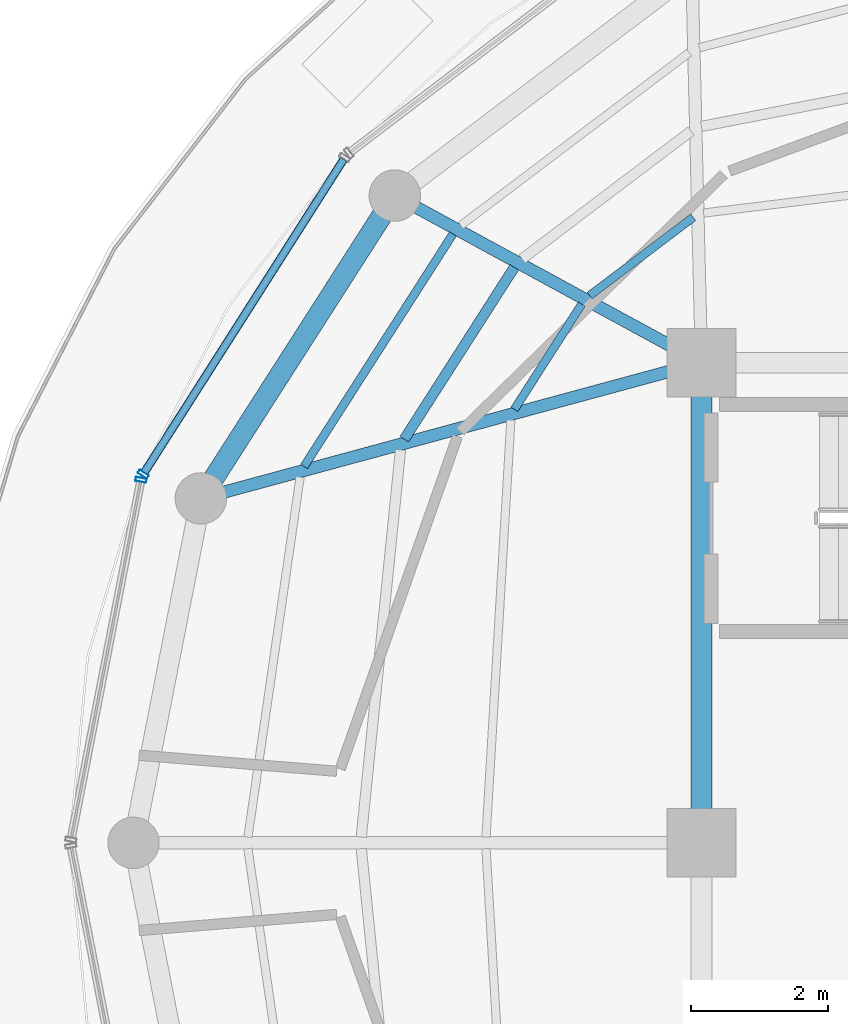
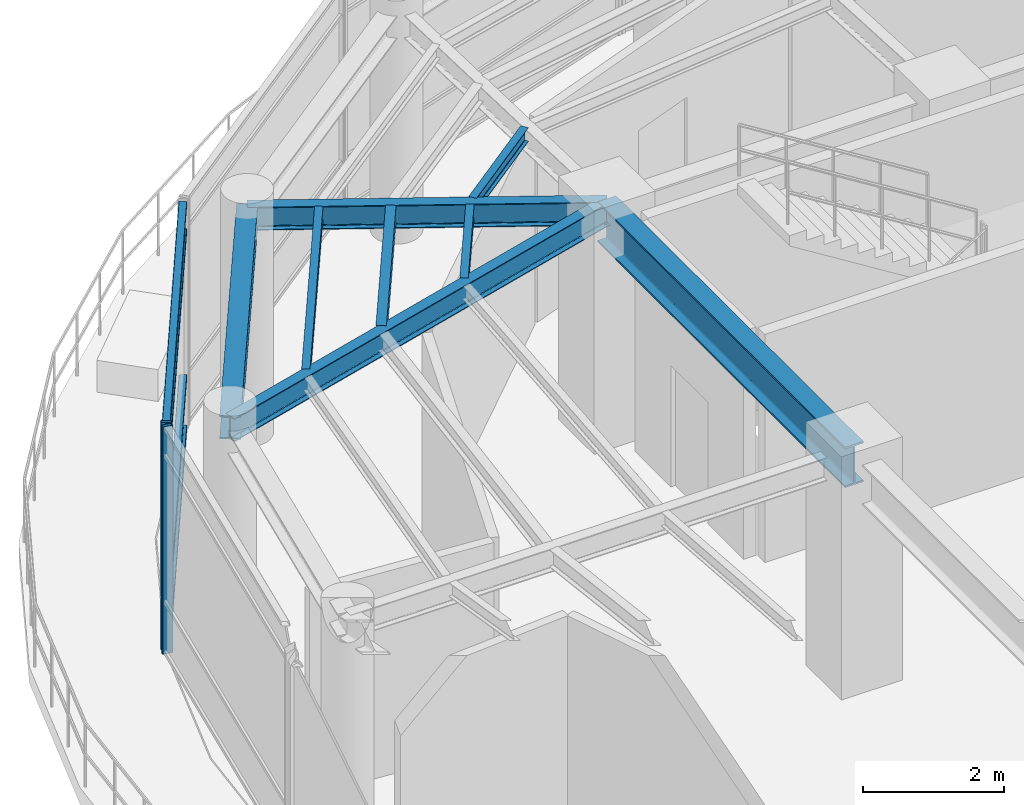
# One storey, part 9 of 20: 8 beams, 6 members, 2 elements without a shape of their own.
"""IFC4 building model written with IfcOpenShell, lengths in metres."""

from ifc_helpers import new_model, si_unit, direction, frame, origin, origin_2d, place, context, subcontext, project, spatial, hollow_rectangle, i_section, extrude, material, layer, layer_set, material_profile, profile_set, type_object, element, aggregate, save


model = new_model("IFC4")

# Units and contexts
model_context = context("Model", 3, precision=1e-05, world=origin(), true_north=direction((0.0, 1.0)))
body_context = subcontext(model_context, "Body", "Model", "MODEL_VIEW")
ifc_project = project(units=[si_unit("LENGTHUNIT", "METRE"), si_unit("AREAUNIT", "SQUARE_METRE"), si_unit("VOLUMEUNIT", "CUBIC_METRE"), si_unit("PLANEANGLEUNIT", "RADIAN"), si_unit("MASSUNIT", "GRAM", prefix="KILO")], contexts=[model_context])

# Site, building, storey
site_placement = place(None, origin())
site = spatial("IfcSite", under=ifc_project, at=site_placement, CompositionType="ELEMENT")
building_placement = place(site_placement, origin())
building = spatial("IfcBuilding", under=site, at=building_placement, Name="Kelanora Arch Commons", CompositionType="ELEMENT")
storey_placement = place(building_placement, frame((0.0, 0.0, 298.5)))
storey = spatial("IfcBuildingStorey", under=building, at=storey_placement, Name="L76", CompositionType="ELEMENT", Elevation=298.5)

# Beams
ifc_material_1 = material(Name="Steel S355", Category="steel")
ifc_material_profile_1 = material_profile(ifc_material_1, i_section(OverallWidth=0.300048828125, OverallDepth=0.699951171875, WebThickness=0.01708984375, FlangeThickness=0.031982421875, FilletRadius=0.027099609375, at=origin_2d()), Name="HEB700")
ifc_profile_set_1 = profile_set([ifc_material_profile_1], Name="Steel S355")
beam_type_1 = type_object("IfcBeamType", Name="BM-CORE-HDR", PredefinedType="BEAM", material=ifc_profile_set_1)
beam_1_placement = place(storey_placement, frame((66.0, 65.0, 3.590087890625), z_axis=(0.0, -1.0, 0.0), x_axis=(1.0, 0.0, 0.0)))
element("IfcBeam", 1, at=beam_1_placement, inside=storey, type_object=beam_type_1, Name="Core Header Beam 08 L76", PredefinedType="BEAM", context=body_context, shape_type="SweptSolid", body=[
    extrude(i_section(OverallWidth=0.300048828125, OverallDepth=0.699951171875, WebThickness=0.01708984375, FlangeThickness=0.031982421875, FilletRadius=0.027099609375, at=origin_2d()), origin(), (0.0, 0.0, 1.0), 7.0),
])
ifc_material_profile_2 = material_profile(ifc_material_1, i_section(OverallWidth=0.14990234375, OverallDepth=0.300048828125, WebThickness=0.007080078125, FlangeThickness=0.0107421875, FilletRadius=0.014892578125, at=origin_2d()), Name="IPE300")
ifc_profile_set_2 = profile_set([ifc_material_profile_2], Name="Steel S355")
beam_type_2 = type_object("IfcBeamType", Name="BM-JST-01", PredefinedType="JOIST", material=ifc_profile_set_2)
beam_2_placement = place(storey_placement, frame((63.271484375, 66.39013671875, 3.7900390625), z_axis=(-0.539193378054, -0.84218198809, 0.0), x_axis=(0.84218198809, -0.539193378054, 0.0)))
element("IfcBeam", 2, at=beam_2_placement, inside=storey, type_object=beam_type_2, Name="Secondary Chord Joist BJB-14 L76", PredefinedType="JOIST", context=body_context, shape_type="SweptSolid", body=[
    extrude(i_section(OverallWidth=0.14990234375, OverallDepth=0.300048828125, WebThickness=0.007080078125, FlangeThickness=0.0107421875, FilletRadius=0.014892578125, at=origin_2d()), origin(), (0.0, 0.0, 1.0), 2.975830078125),
])
ifc_material_profile_3 = material_profile(ifc_material_1, i_section(OverallWidth=0.1201171875, OverallDepth=0.239990234375, WebThickness=0.006103515625, FlangeThickness=0.009765625, FilletRadius=0.014892578125, at=origin_2d()), Name="IPE240")
ifc_profile_set_3 = profile_set([ifc_material_profile_3], Name="Steel S355")
beam_type_3 = type_object("IfcBeamType", Name="BM-JST-02", PredefinedType="JOIST", material=ifc_profile_set_3)
beam_3_placement = place(storey_placement, frame((65.87890625, 67.119873046875, 3.820068359375), z_axis=(-0.797424826317, -0.603418301324, 0.0), x_axis=(0.603418301324, -0.797424826317, 0.0)))
element("IfcBeam", 3, at=beam_3_placement, inside=storey, type_object=beam_type_3, Name="Secondary Chord Joist BJA-12 L76", PredefinedType="JOIST", context=body_context, shape_type="SweptSolid", body=[
    extrude(i_section(OverallWidth=0.1201171875, OverallDepth=0.239990234375, WebThickness=0.006103515625, FlangeThickness=0.009765625, FilletRadius=0.014892578125, at=origin_2d()), origin(), (0.0, 0.0, 1.0), 1.893798828125),
])
beam_4_placement = place(storey_placement, frame((64.255126953125, 65.85400390625, 3.820068359375), z_axis=(-0.539300812993, -0.842113194947, 0.0), x_axis=(0.842113194947, -0.539300812993, 0.0)))
element("IfcBeam", 4, at=beam_4_placement, inside=storey, type_object=beam_type_3, Name="Secondary Chord Joist BJA-14 L76", PredefinedType="JOIST", context=body_context, shape_type="SweptSolid", body=[
    extrude(i_section(OverallWidth=0.1201171875, OverallDepth=0.239990234375, WebThickness=0.006103515625, FlangeThickness=0.009765625, FilletRadius=0.014892578125, at=origin_2d()), origin(), (0.0, 0.0, 1.0), 1.822021484375),
])
beam_5_placement = place(storey_placement, frame((62.377197265625, 66.877197265625, 3.820068359375), z_axis=(-0.539232732312, -0.842156790867, 0.0), x_axis=(0.842156790867, -0.539232732312, 0.0)))
element("IfcBeam", 5, at=beam_5_placement, inside=storey, type_object=beam_type_3, Name="Secondary Chord Joist BJC-14 L76", PredefinedType="JOIST", context=body_context, shape_type="SweptSolid", body=[
    extrude(i_section(OverallWidth=0.1201171875, OverallDepth=0.239990234375, WebThickness=0.006103515625, FlangeThickness=0.009765625, FilletRadius=0.014892578125, at=origin_2d()), origin(), (0.0, 0.0, 1.0), 4.024169921875),
])
ifc_material_profile_4 = material_profile(ifc_material_1, i_section(OverallWidth=0.179931640625, OverallDepth=0.39990234375, WebThickness=0.008544921875, FlangeThickness=0.013427734375, FilletRadius=0.02099609375, at=origin_2d()), Name="IPE400")
ifc_profile_set_4 = profile_set([ifc_material_profile_4], Name="Steel S355")
beam_type_4 = type_object("IfcBeamType", Name="BM-RAD-Z5", PredefinedType="BEAM", material=ifc_profile_set_4)
beam_6_placement = place(storey_placement, frame((66.0, 65.0, 3.739990234375), z_axis=(-0.878126355987, 0.478428785631, 0.0), x_axis=(-0.478428785631, -0.878126355987, 0.0)))
element("IfcBeam", 6, at=beam_6_placement, inside=storey, type_object=beam_type_4, Name="Radial Floor Girder BR-14 L76", PredefinedType="BEAM", context=body_context, shape_type="SweptSolid", body=[
    extrude(i_section(OverallWidth=0.179931640625, OverallDepth=0.39990234375, WebThickness=0.008544921875, FlangeThickness=0.013427734375, FilletRadius=0.02099609375, at=origin_2d()), origin(), (0.0, 0.0, 1.0), 5.091796875),
])
beam_7_placement = place(storey_placement, frame((66.0, 65.0, 3.739990234375), z_axis=(-0.965145027625, -0.26171563891, 0.0), x_axis=(0.26171563891, -0.965145027625, 0.0)))
element("IfcBeam", 7, at=beam_7_placement, inside=storey, type_object=beam_type_4, Name="Radial Floor Girder BR-16 L76", PredefinedType="BEAM", context=body_context, shape_type="SweptSolid", body=[
    extrude(i_section(OverallWidth=0.179931640625, OverallDepth=0.39990234375, WebThickness=0.008544921875, FlangeThickness=0.013427734375, FilletRadius=0.02099609375, at=origin_2d()), origin(), (0.0, 0.0, 1.0), 7.561767578125),
])
ifc_material_profile_5 = material_profile(ifc_material_1, i_section(OverallWidth=0.300048828125, OverallDepth=0.39990234375, WebThickness=0.013427734375, FlangeThickness=0.02392578125, FilletRadius=0.027099609375, at=origin_2d()), Name="HEB400")
ifc_profile_set_5 = profile_set([ifc_material_profile_5], Name="Steel S355")
beam_type_5 = type_object("IfcBeamType", Name="BM-SPN-Z4", PredefinedType="SPANDREL", material=ifc_profile_set_5)
beam_8_placement = place(storey_placement, frame((61.52880859375, 67.43603515625, 3.739990234375), z_axis=(-0.53922680048, -0.842160588987, 0.0), x_axis=(0.842160588987, -0.53922680048, 0.0)))
element("IfcBeam", 8, at=beam_8_placement, inside=storey, type_object=beam_type_5, Name="Perimeter Spandrel Beam BS-14 L76", PredefinedType="SPANDREL", context=body_context, shape_type="SweptSolid", body=[
    extrude(i_section(OverallWidth=0.300048828125, OverallDepth=0.39990234375, WebThickness=0.013427734375, FlangeThickness=0.02392578125, FilletRadius=0.027099609375, at=origin_2d()), origin(), (0.0, 0.0, 1.0), 5.242431640625),
])

# Curtain wall, member
ifc_material_2 = material(Name="Terracotta ceramic-fritted low-E glass and aluminium", Category="masonry")
ifc_layer = layer(ifc_material_2, 0.14990234375)
ifc_layer_set = layer_set([ifc_layer], Name="Terracotta ceramic-fritted low-E glass and aluminium")
curtain_wall_type = type_object("IfcCurtainWallType", Name="CW-SYS-06", PredefinedType="NOTDEFINED", material=ifc_layer_set)
curtain_wall_1_placement = place(storey_placement, origin())
curtain_wall_1 = element("IfcCurtainWall", 9, at=curtain_wall_1_placement, inside=storey, type_object=curtain_wall_type, Name="Unitised Curtain Wall L76-B07", PredefinedType="NOTDEFINED")
ifc_material_3 = material(Name="Powder-coated aluminium terracotta", Category="masonry")
ifc_material_profile_6 = material_profile(ifc_material_3, hollow_rectangle(XDim=0.159912109375, YDim=0.06005859375, WallThickness=0.0048828125, InnerFilletRadius=0.0048828125, OuterFilletRadius=0.010009765625, at=origin_2d()), Name="CWM160x60")
ifc_profile_set_6 = profile_set([ifc_material_profile_6], Name="Powder-coated aluminium terracotta")
member_type_1 = type_object("IfcMemberType", Name="CWM-STD", PredefinedType="MULLION", material=ifc_profile_set_6)
member_1_placement = place(storey_placement, frame((57.861572265625, 63.37353515625, 0.0), z_axis=(0.0, 0.0, 1.0), x_axis=(0.84359225554, -0.536984270154, 0.0)))
member_1 = element("IfcMember", 10, at=member_1_placement, type_object=member_type_1, Name="CW-06 mullion 2", PredefinedType="MULLION", context=body_context, shape_type="SweptSolid", body=[
    extrude(hollow_rectangle(XDim=0.159912109375, YDim=0.06005859375, WallThickness=0.0048828125, InnerFilletRadius=0.0048828125, OuterFilletRadius=0.010009765625, at=origin_2d()), origin(), (0.0, 0.0, 1.0), 3.925048828125),
])

curtain_wall_2_placement = place(storey_placement, origin())
curtain_wall_2 = element("IfcCurtainWall", 11, at=curtain_wall_2_placement, inside=storey, type_object=curtain_wall_type, Name="Unitised Curtain Wall L76-B08", PredefinedType="NOTDEFINED")
member_2_placement = place(storey_placement, frame((57.82861328125, 63.291259765625, 0.0), z_axis=(0.0, 0.0, 1.0), x_axis=(0.981623765263, -0.190826579571, 0.0)))
member_2 = element("IfcMember", 12, at=member_2_placement, type_object=member_type_1, Name="CW-06 mullion 1", PredefinedType="MULLION", context=body_context, shape_type="SweptSolid", body=[
    extrude(hollow_rectangle(XDim=0.159912109375, YDim=0.06005859375, WallThickness=0.0048828125, InnerFilletRadius=0.0048828125, OuterFilletRadius=0.010009765625, at=origin_2d()), origin(), (0.0, 0.0, 1.0), 3.925048828125),
])
aggregate(curtain_wall_2, [member_2])

# Member
ifc_material_profile_7 = material_profile(ifc_material_3, hollow_rectangle(XDim=0.1201171875, YDim=0.06005859375, WallThickness=0.0048828125, InnerFilletRadius=0.0048828125, OuterFilletRadius=0.010009765625, at=origin_2d()), Name="CWT120x60")
ifc_profile_set_7 = profile_set([ifc_material_profile_7], Name="Powder-coated aluminium terracotta")
member_type_2 = type_object("IfcMemberType", Name="CWT-STD", PredefinedType="USERDEFINED", material=ifc_profile_set_7)
member_3_placement = place(storey_placement, frame((60.78369140625, 67.964111328125, 0.030029296875), z_axis=(-0.536992252766, -0.843587174197, 0.0), x_axis=(0.843587174197, -0.536992252766, 0.0)))
member_3 = element("IfcMember", 13, at=member_3_placement, type_object=member_type_2, Name="CW-06 transom 1.1", ObjectType="TRANSOM", PredefinedType="USERDEFINED", context=body_context, shape_type="SweptSolid", body=[
    extrude(hollow_rectangle(XDim=0.1201171875, YDim=0.06005859375, WallThickness=0.0048828125, InnerFilletRadius=0.0048828125, OuterFilletRadius=0.010009765625, at=origin_2d()), origin(), (0.0, 0.0, 1.0), 5.41162109375),
])

member_4_placement = place(storey_placement, frame((60.78369140625, 67.964111328125, 0.89990234375), z_axis=(-0.536992252766, -0.843587174197, 0.0), x_axis=(0.843587174197, -0.536992252766, 0.0)))
member_4 = element("IfcMember", 14, at=member_4_placement, type_object=member_type_2, Name="CW-06 transom 1.2", ObjectType="TRANSOM", PredefinedType="USERDEFINED", context=body_context, shape_type="SweptSolid", body=[
    extrude(hollow_rectangle(XDim=0.1201171875, YDim=0.06005859375, WallThickness=0.0048828125, InnerFilletRadius=0.0048828125, OuterFilletRadius=0.010009765625, at=origin_2d()), origin(), (0.0, 0.0, 1.0), 5.41162109375),
])

member_5_placement = place(storey_placement, frame((60.78369140625, 67.964111328125, 3.425048828125), z_axis=(-0.536992252766, -0.843587174197, 0.0), x_axis=(0.843587174197, -0.536992252766, 0.0)))
member_5 = element("IfcMember", 15, at=member_5_placement, type_object=member_type_2, Name="CW-06 transom 1.3", ObjectType="TRANSOM", PredefinedType="USERDEFINED", context=body_context, shape_type="SweptSolid", body=[
    extrude(hollow_rectangle(XDim=0.1201171875, YDim=0.06005859375, WallThickness=0.0048828125, InnerFilletRadius=0.0048828125, OuterFilletRadius=0.010009765625, at=origin_2d()), origin(), (0.0, 0.0, 1.0), 5.41162109375),
])

member_6_placement = place(storey_placement, frame((60.78369140625, 67.964111328125, 3.89501953125), z_axis=(-0.536992252766, -0.843587174197, 0.0), x_axis=(0.843587174197, -0.536992252766, 0.0)))
member_6 = element("IfcMember", 16, at=member_6_placement, type_object=member_type_2, Name="CW-06 transom 1.4", ObjectType="TRANSOM", PredefinedType="USERDEFINED", context=body_context, shape_type="SweptSolid", body=[
    extrude(hollow_rectangle(XDim=0.1201171875, YDim=0.06005859375, WallThickness=0.0048828125, InnerFilletRadius=0.0048828125, OuterFilletRadius=0.010009765625, at=origin_2d()), origin(), (0.0, 0.0, 1.0), 5.41162109375),
])

aggregate(curtain_wall_1, [member_1, member_3, member_4, member_5, member_6])

save(model, "model.ifc")
